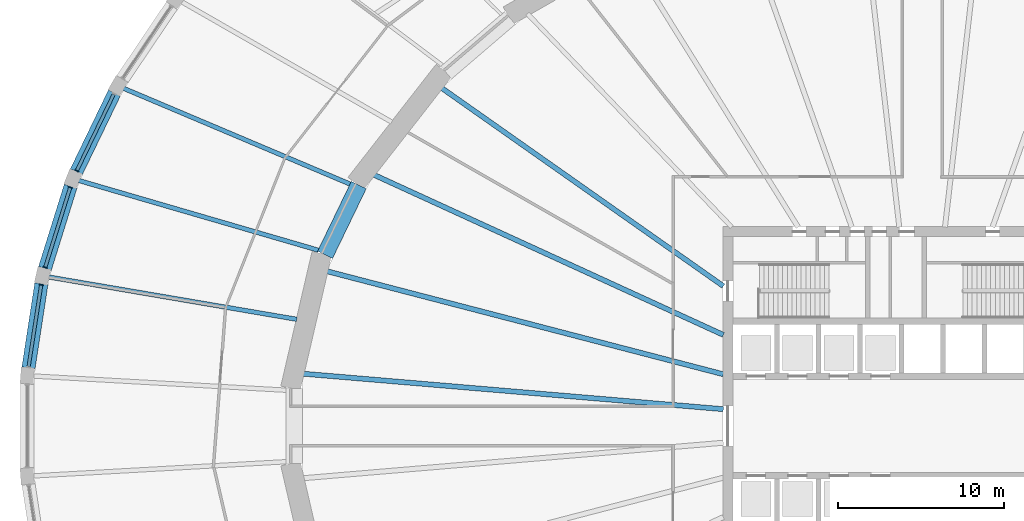
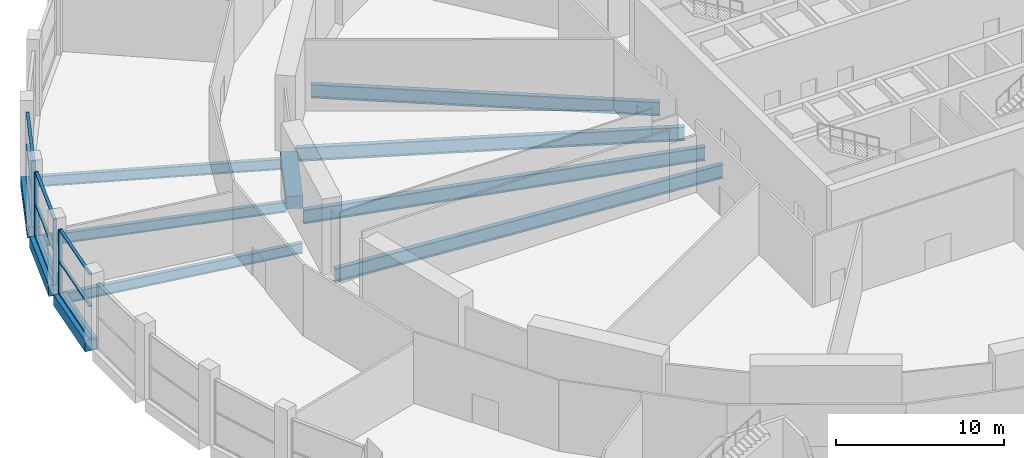
# One storey, part 6 of 29: 13 members, 11 beams, 3 elements without a shape of their own.
"""IFC4 building model written with IfcOpenShell, lengths in metres."""

import ifcopenshell
import ifcopenshell.guid

model = None  # the IFC model being written
_history = None  # IfcOwnerHistory: only IFC2X3 demands one
_inside = {}  # id of a spatial element -> (the spatial element, [elements in it])
_under = {}  # id of a project, library or spatial element -> (it, [spatial elements below it])
_declared = {}  # id of a project -> (the project, [libraries it declares])
_typed = {}  # id of a type object -> (the type object, [elements of that type])
_made_of = {}  # id of a material, layer set ... -> (it, [elements and type objects made of it])


def new_model(schema):
    """Start an empty IFC model of exactly this schema.

    Asked for "IFC4X3", IfcOpenShell would pick the latest addendum, in which some entities
    have other attributes; the version numbers below select the first issue.
    IFC2X3 requires an IfcOwnerHistory on every rooted entity: one is made here for all.
    """
    global model, _history
    if schema == "IFC4X3":
        model = ifcopenshell.file(schema_version=(4, 3, 0, 0))
    else:
        model = ifcopenshell.file(schema=schema)
    _inside.clear()
    _under.clear()
    _declared.clear()
    _typed.clear()
    _made_of.clear()
    _history = None
    if model.schema == "IFC2X3":
        org = make("IfcOrganization", Name="unknown")
        user = make(
            "IfcPersonAndOrganization",
            ThePerson=make("IfcPerson", FamilyName="unknown"),
            TheOrganization=org,
        )
        app = make(
            "IfcApplication",
            ApplicationDeveloper=org,
            Version="unknown",
            ApplicationFullName="unknown",
            ApplicationIdentifier="unknown",
        )
        _history = make(
            "IfcOwnerHistory",
            OwningUser=user,
            OwningApplication=app,
            ChangeAction="ADDED",
            CreationDate=0,
        )
    return model


def make(cls, **values):
    """One entity of the class cls with the attributes given. An attribute that is None is left unset."""
    return model.create_entity(
        cls, **{name: value for name, value in values.items() if value is not None}
    )


def rooted(cls, **values):
    """An entity with a GlobalId (a new one), such as an element, a storey or a relation."""
    return make(cls, GlobalId=ifcopenshell.guid.new(), OwnerHistory=_history, **values)


def si_unit(unit_type, name, prefix=None):
    """IfcSIUnit, for example si_unit("LENGTHUNIT", "METRE", prefix="MILLI")."""
    return make("IfcSIUnit", UnitType=unit_type, Prefix=prefix, Name=name)


def assignment(units):
    """IfcUnitAssignment: the units of a project."""
    return None if units is None else make("IfcUnitAssignment", Units=units)


def point(xyz):
    """IfcCartesianPoint."""
    return None if xyz is None else make("IfcCartesianPoint", Coordinates=xyz)


def direction(xyz):
    """IfcDirection."""
    return None if xyz is None else make("IfcDirection", DirectionRatios=xyz)


def frame(location, z_axis=None, x_axis=None):
    """IfcAxis2Placement3D, a coordinate frame: its origin and axes. An axis left out is left unset."""
    return make(
        "IfcAxis2Placement3D",
        Location=point(location),
        Axis=direction(z_axis),
        RefDirection=direction(x_axis),
    )


def frame_2d(location, x_axis=None):
    """IfcAxis2Placement2D, a coordinate frame in the plane: its origin and x axis."""
    return make(
        "IfcAxis2Placement2D", Location=point(location), RefDirection=direction(x_axis)
    )


def origin():
    """The frame at (0, 0, 0) with its axes left unset."""
    return frame((0.0, 0.0, 0.0))


def origin_2d():
    """The frame at (0, 0) in the plane with its x axis left unset."""
    return frame_2d((0.0, 0.0))


def place(relative_to, where):
    """IfcLocalPlacement: puts the frame where relative to a parent placement (None: the world)."""
    return make(
        "IfcLocalPlacement", PlacementRelTo=relative_to, RelativePlacement=where
    )


def context(
    kind, dimensions, precision=None, world=None, true_north=None, identifier=None
):
    """IfcGeometricRepresentationContext, for example the 3D "Model" context."""
    return make(
        "IfcGeometricRepresentationContext",
        ContextIdentifier=identifier,
        ContextType=kind,
        CoordinateSpaceDimension=dimensions,
        Precision=precision,
        WorldCoordinateSystem=world,
        TrueNorth=true_north,
    )


def subcontext(parent, identifier, kind, view, scale=None):
    """IfcGeometricRepresentationSubContext, for example "Body" below "Model"."""
    return make(
        "IfcGeometricRepresentationSubContext",
        ContextIdentifier=identifier,
        ContextType=kind,
        ParentContext=parent,
        TargetScale=scale,
        TargetView=view,
    )


def project(units=None, contexts=None):
    """IfcProject with its units and contexts."""
    return rooted(
        "IfcProject",
        Name="project",
        RepresentationContexts=contexts,
        UnitsInContext=assignment(units),
    )


def spatial(cls, under=None, at=None, **own):
    """A site, building, storey or space (cls), placed at a placement, below another one or the project."""
    s = rooted(cls, ObjectPlacement=at, **own)
    if under is not None:
        _under.setdefault(under.id(), (under, []))[1].append(s)
    return s


def profile(cls, at=None, kind="AREA", **sizes):
    """A parametric profile (cls). Its sizes go by their IFC names, for example OverallWidth=200.0."""
    return make(cls, ProfileType=kind, Position=at, **sizes)


def rectangle(**sizes):
    """IfcRectangleProfileDef."""
    return profile("IfcRectangleProfileDef", **sizes)


def i_section(**sizes):
    """IfcIShapeProfileDef."""
    return profile("IfcIShapeProfileDef", **sizes)


def extrude(swept, where, along, depth):
    """IfcExtrudedAreaSolid: the profile swept, set in the frame where, extruded along a direction by depth."""
    return make(
        "IfcExtrudedAreaSolid",
        SweptArea=swept,
        Position=where,
        ExtrudedDirection=direction(along),
        Depth=depth,
    )


def shape(context_of_items, identifier, shape_type, items):
    """IfcShapeRepresentation: the items that make up one representation, for example the "Body"."""
    return make(
        "IfcShapeRepresentation",
        ContextOfItems=context_of_items,
        RepresentationIdentifier=identifier,
        RepresentationType=shape_type,
        Items=items,
    )


def material(Name=None, Category=None):
    """IfcMaterial."""
    return make("IfcMaterial", Name=Name, Category=Category)


def material_profile(
    of_material, cross_section, Name=None, Category=None, Priority=None
):
    """IfcMaterialProfile: a cross section and its material."""
    return make(
        "IfcMaterialProfile",
        Name=Name,
        Material=of_material,
        Profile=cross_section,
        Priority=Priority,
        Category=Category,
    )


def profile_set(profiles, Name=None, composite=None):
    """IfcMaterialProfileSet."""
    return make(
        "IfcMaterialProfileSet",
        Name=Name,
        MaterialProfiles=profiles,
        CompositeProfile=composite,
    )


def made_of(thing, what):
    """Note that an element or type object is made of a material, layer set ...; save() writes the relation."""
    if what is not None:
        _made_of.setdefault(what.id(), (what, []))[1].append(thing)
    return thing


def type_object(cls, material=None, **own):
    """A type object (cls), such as IfcWallType, which elements share."""
    return made_of(rooted(cls, **own), material)


def element(
    cls,
    number,
    at=None,
    inside=None,
    cuts=None,
    type_object=None,
    material=None,
    context=None,
    identifier="Body",
    shape_type=None,
    held_by="IfcProductDefinitionShape",
    body=None,
    shapes=None,
    **own,
):
    """One element of the class cls, such as IfcWall. Its Tag is "e" and its number.

    at: its placement. inside: the storey or other place that contains it. cuts: it is an
    opening in that element (IfcRelVoidsElement). A single representation is given by context,
    identifier, shape_type and body (its items); several are given by shapes. held_by: the class
    of the entity that holds the representations. save() writes the other relations.
    """
    e = rooted(cls, Tag="e%d" % number, ObjectPlacement=at, **own)
    if body is not None:
        shapes = [shape(context, identifier, shape_type, body)]
    if shapes is not None:
        e.Representation = make(held_by, Representations=shapes)
    if inside is not None:
        _inside.setdefault(inside.id(), (inside, []))[1].append(e)
    if cuts is not None:
        rooted(
            "IfcRelVoidsElement", RelatingBuildingElement=cuts, RelatedOpeningElement=e
        )
    if type_object is not None:
        _typed.setdefault(type_object.id(), (type_object, []))[1].append(e)
    return made_of(e, material)


def aggregate(whole, parts):
    """IfcRelAggregates: a whole, such as a stair, and the parts it consists of."""
    return rooted("IfcRelAggregates", RelatingObject=whole, RelatedObjects=parts)


def save(model, path):
    """Write the relations noted so far, then the file.

    IfcRelAggregates (storeys below a building ...), IfcRelContainedInSpatialStructure (elements
    in a storey), IfcRelDefinesByType, IfcRelAssociatesMaterial and IfcRelDeclares: one each for
    every whole, place, type object, material and project.
    """
    for whole, parts in _under.values():
        aggregate(whole, parts)
    for where, things in _inside.values():
        rooted(
            "IfcRelContainedInSpatialStructure",
            RelatedElements=things,
            RelatingStructure=where,
        )
    for kind, things in _typed.values():
        rooted("IfcRelDefinesByType", RelatedObjects=things, RelatingType=kind)
    for what, things in _made_of.values():
        rooted("IfcRelAssociatesMaterial", RelatedObjects=things, RelatingMaterial=what)
    for by, libraries in _declared.values():
        rooted("IfcRelDeclares", RelatingContext=by, RelatedDefinitions=libraries)
    model.write(path)


model = new_model("IFC4")

# Units and contexts
model_context = context("Model", 3, precision=1e-05, world=origin(), true_north=direction((0.0, 1.0)))
body_context = subcontext(model_context, "Body", "Model", "MODEL_VIEW")
ifc_project = project(units=[si_unit("LENGTHUNIT", "METRE"), si_unit("AREAUNIT", "SQUARE_METRE"), si_unit("VOLUMEUNIT", "CUBIC_METRE"), si_unit("PLANEANGLEUNIT", "RADIAN"), si_unit("MASSUNIT", "GRAM", prefix="KILO")], contexts=[model_context])

# Site, building, storey
site_placement = place(None, origin())
site = spatial("IfcSite", under=ifc_project, at=site_placement, CompositionType="ELEMENT")
building_placement = place(site_placement, origin())
building = spatial("IfcBuilding", under=site, at=building_placement, Name="Halqa Exchange Tower", CompositionType="ELEMENT")
storey_placement = place(building_placement, frame((0.0, 0.0, 12.5)))
storey = spatial("IfcBuildingStorey", under=building, at=storey_placement, Name="L02", CompositionType="ELEMENT", Elevation=12.5)

# Curtain wall, member
ifc_material_1 = material(Name="Anodised aluminium and clear glass", Category="aluminium")
curtain_wall_type = type_object("IfcCurtainWallType", Name="Exchange hall glazing", PredefinedType="NOTDEFINED", material=ifc_material_1)
curtain_wall_1_placement = place(storey_placement, origin())
curtain_wall_1 = element("IfcCurtainWall", 1, at=curtain_wall_1_placement, inside=storey, type_object=curtain_wall_type, Name="Exchange hall glazing run P21", PredefinedType="NOTDEFINED")
ifc_material_2 = material(Name="Anodised aluminium", Category="aluminium")
ifc_material_profile_1 = material_profile(ifc_material_2, rectangle(XDim=0.25, YDim=0.070068359375, at=origin_2d()), Name="AL 70x250")
ifc_profile_set_1 = profile_set([ifc_material_profile_1], Name="Anodised aluminium")
member_type_1 = type_object("IfcMemberType", Name="Exchange hall glazing mullion 70 x 250", PredefinedType="MULLION", material=ifc_profile_set_1)
member_1_placement = place(storey_placement, frame((-50.9013671875, 15.3642578125, 0.0), z_axis=(0.0, 0.0, 1.0), x_axis=(0.90043534892, -0.434989864727, 0.0)))
member_1 = element("IfcMember", 2, at=member_1_placement, type_object=member_type_1, Name="P21 mullion 2", PredefinedType="MULLION", context=body_context, shape_type="SweptSolid", body=[
    extrude(rectangle(XDim=0.25, YDim=0.070068359375, at=origin_2d()), origin(), (0.0, 0.0, 1.0), 4.699951171875),
])

# Curtain wall, members
curtain_wall_2_placement = place(storey_placement, origin())
curtain_wall_2 = element("IfcCurtainWall", 3, at=curtain_wall_2_placement, inside=storey, type_object=curtain_wall_type, Name="Exchange hall glazing run P22", PredefinedType="NOTDEFINED")
member_2_placement = place(storey_placement, frame((-51.293701171875, 14.3720703125, 0.0), z_axis=(0.0, 0.0, 1.0), x_axis=(0.95447130463, -0.298302746613, 0.0)))
member_2 = element("IfcMember", 4, at=member_2_placement, type_object=member_type_1, Name="P22 mullion 1", PredefinedType="MULLION", context=body_context, shape_type="SweptSolid", body=[
    extrude(rectangle(XDim=0.25, YDim=0.070068359375, at=origin_2d()), origin(), (0.0, 0.0, 1.0), 4.699951171875),
])
member_3_placement = place(storey_placement, frame((-52.802978515625, 9.543212890625, 0.0), z_axis=(0.0, 0.0, 1.0), x_axis=(0.95447130463, -0.298302746613, 0.0)))
member_3 = element("IfcMember", 5, at=member_3_placement, type_object=member_type_1, Name="P22 mullion 2", PredefinedType="MULLION", context=body_context, shape_type="SweptSolid", body=[
    extrude(rectangle(XDim=0.25, YDim=0.070068359375, at=origin_2d()), origin(), (0.0, 0.0, 1.0), 4.699951171875),
])

# Curtain wall, member
curtain_wall_3_placement = place(storey_placement, origin())
curtain_wall_3 = element("IfcCurtainWall", 6, at=curtain_wall_3_placement, inside=storey, type_object=curtain_wall_type, Name="Exchange hall glazing run P23", PredefinedType="NOTDEFINED")
member_4_placement = place(storey_placement, frame((-53.043701171875, 8.50390625, 0.0), z_axis=(0.0, 0.0, 1.0), x_axis=(0.988416304241, -0.151766957898, 0.0)))
member_4 = element("IfcMember", 7, at=member_4_placement, type_object=member_type_1, Name="P23 mullion 1", PredefinedType="MULLION", context=body_context, shape_type="SweptSolid", body=[
    extrude(rectangle(XDim=0.25, YDim=0.070068359375, at=origin_2d()), origin(), (0.0, 0.0, 1.0), 4.699951171875),
])

# Member
ifc_material_profile_2 = material_profile(ifc_material_2, rectangle(XDim=0.199951171875, YDim=0.070068359375, at=origin_2d()), Name="AL 70x200")
ifc_profile_set_2 = profile_set([ifc_material_profile_2], Name="Anodised aluminium")
member_type_2 = type_object("IfcMemberType", Name="Exchange hall glazing transom 70 x 200", PredefinedType="USERDEFINED", material=ifc_profile_set_2)
member_5_placement = place(storey_placement, frame((-48.678955078125, 19.96484375, 0.034912109375), z_axis=(-0.434989893806, -0.900435334872, 0.0), x_axis=(0.900435334872, -0.434989893806, 0.0)))
member_5 = element("IfcMember", 8, at=member_5_placement, type_object=member_type_2, Name="P21 transom 1.1", ObjectType="TRANSOM", PredefinedType="USERDEFINED", context=body_context, shape_type="SweptSolid", body=[
    extrude(rectangle(XDim=0.199951171875, YDim=0.070068359375, at=origin_2d()), origin(), (0.0, 0.0, 1.0), 5.07421875),
])

member_6_placement = place(storey_placement, frame((-48.678955078125, 19.96484375, 2.35009765625), z_axis=(-0.434989893806, -0.900435334872, 0.0), x_axis=(0.900435334872, -0.434989893806, 0.0)))
member_6 = element("IfcMember", 9, at=member_6_placement, type_object=member_type_2, Name="P21 transom 1.2", ObjectType="TRANSOM", PredefinedType="USERDEFINED", context=body_context, shape_type="SweptSolid", body=[
    extrude(rectangle(XDim=0.199951171875, YDim=0.070068359375, at=origin_2d()), origin(), (0.0, 0.0, 1.0), 5.07421875),
])

member_7_placement = place(storey_placement, frame((-48.678955078125, 19.96484375, 4.6650390625), z_axis=(-0.434989893806, -0.900435334872, 0.0), x_axis=(0.900435334872, -0.434989893806, 0.0)))
member_7 = element("IfcMember", 10, at=member_7_placement, type_object=member_type_2, Name="P21 transom 1.3", ObjectType="TRANSOM", PredefinedType="USERDEFINED", context=body_context, shape_type="SweptSolid", body=[
    extrude(rectangle(XDim=0.199951171875, YDim=0.070068359375, at=origin_2d()), origin(), (0.0, 0.0, 1.0), 5.07421875),
])

aggregate(curtain_wall_1, [member_1, member_5, member_6, member_7])

member_8_placement = place(storey_placement, frame((-51.30419921875, 14.338623046875, 0.034912109375), z_axis=(-0.298305642444, -0.954470399586, 0.0), x_axis=(0.954470399586, -0.298305642444, 0.0)))
member_8 = element("IfcMember", 11, at=member_8_placement, type_object=member_type_2, Name="P22 transom 1.1", ObjectType="TRANSOM", PredefinedType="USERDEFINED", context=body_context, shape_type="SweptSolid", body=[
    extrude(rectangle(XDim=0.199951171875, YDim=0.070068359375, at=origin_2d()), origin(), (0.0, 0.0, 1.0), 4.989013671875),
])

member_9_placement = place(storey_placement, frame((-51.30419921875, 14.338623046875, 2.35009765625), z_axis=(-0.298305642444, -0.954470399586, 0.0), x_axis=(0.954470399586, -0.298305642444, 0.0)))
member_9 = element("IfcMember", 12, at=member_9_placement, type_object=member_type_2, Name="P22 transom 1.2", ObjectType="TRANSOM", PredefinedType="USERDEFINED", context=body_context, shape_type="SweptSolid", body=[
    extrude(rectangle(XDim=0.199951171875, YDim=0.070068359375, at=origin_2d()), origin(), (0.0, 0.0, 1.0), 4.989013671875),
])

member_10_placement = place(storey_placement, frame((-51.30419921875, 14.338623046875, 4.6650390625), z_axis=(-0.298305642444, -0.954470399586, 0.0), x_axis=(0.954470399586, -0.298305642444, 0.0)))
member_10 = element("IfcMember", 13, at=member_10_placement, type_object=member_type_2, Name="P22 transom 1.3", ObjectType="TRANSOM", PredefinedType="USERDEFINED", context=body_context, shape_type="SweptSolid", body=[
    extrude(rectangle(XDim=0.199951171875, YDim=0.070068359375, at=origin_2d()), origin(), (0.0, 0.0, 1.0), 4.989013671875),
])

aggregate(curtain_wall_2, [member_2, member_3, member_8, member_9, member_10])

member_11_placement = place(storey_placement, frame((-53.048828125, 8.46923828125, 0.034912109375), z_axis=(-0.151782076139, -0.988413982784, 0.0), x_axis=(0.988413982784, -0.151782076139, 0.0)))
member_11 = element("IfcMember", 14, at=member_11_placement, type_object=member_type_2, Name="P23 transom 1.1", ObjectType="TRANSOM", PredefinedType="USERDEFINED", context=body_context, shape_type="SweptSolid", body=[
    extrude(rectangle(XDim=0.199951171875, YDim=0.070068359375, at=origin_2d()), origin(), (0.0, 0.0, 1.0), 4.934814453125),
])

member_12_placement = place(storey_placement, frame((-53.048828125, 8.46923828125, 2.35009765625), z_axis=(-0.151782076139, -0.988413982784, 0.0), x_axis=(0.988413982784, -0.151782076139, 0.0)))
member_12 = element("IfcMember", 15, at=member_12_placement, type_object=member_type_2, Name="P23 transom 1.2", ObjectType="TRANSOM", PredefinedType="USERDEFINED", context=body_context, shape_type="SweptSolid", body=[
    extrude(rectangle(XDim=0.199951171875, YDim=0.070068359375, at=origin_2d()), origin(), (0.0, 0.0, 1.0), 4.934814453125),
])

member_13_placement = place(storey_placement, frame((-53.048828125, 8.46923828125, 4.6650390625), z_axis=(-0.151782076139, -0.988413982784, 0.0), x_axis=(0.988413982784, -0.151782076139, 0.0)))
member_13 = element("IfcMember", 16, at=member_13_placement, type_object=member_type_2, Name="P23 transom 1.3", ObjectType="TRANSOM", PredefinedType="USERDEFINED", context=body_context, shape_type="SweptSolid", body=[
    extrude(rectangle(XDim=0.199951171875, YDim=0.070068359375, at=origin_2d()), origin(), (0.0, 0.0, 1.0), 4.934814453125),
])

aggregate(curtain_wall_3, [member_4, member_11, member_12, member_13])

# Beams
ifc_material_3 = material(Name="Steel S355", Category="steel")
ifc_material_profile_3 = material_profile(ifc_material_3, i_section(OverallWidth=0.300048828125, OverallDepth=1.0, WebThickness=0.01904296875, FlangeThickness=0.035888671875, FilletRadius=0.030029296875, at=origin_2d()), Name="HEB 1000")
ifc_profile_set_3 = profile_set([ifc_material_profile_3], Name="Steel S355")
beam_type_1 = type_object("IfcBeamType", Name="Floor beam HEB 1000", PredefinedType="BEAM", material=ifc_profile_set_3)
beam_1_placement = place(storey_placement, frame((-11.972412109375, 8.421875, -0.85009765625), z_axis=(-0.817909911418, 0.575346310325, 0.0), x_axis=(-0.575346310325, -0.817909911418, 0.0)))
element("IfcBeam", 17, at=beam_1_placement, inside=storey, type_object=beam_type_1, Name="Radial beam 13", PredefinedType="BEAM", context=body_context, shape_type="SweptSolid", body=[
    extrude(i_section(OverallWidth=0.300048828125, OverallDepth=1.0, WebThickness=0.01904296875, FlangeThickness=0.035888671875, FilletRadius=0.030029296875, at=origin_2d()), origin(), (0.0, 0.0, 1.0), 20.804443359375),
])
beam_2_placement = place(storey_placement, frame((-11.972412109375, 5.485107421875, -0.85009765625), z_axis=(-0.909128229117, 0.416516341843, 0.0), x_axis=(-0.416516341843, -0.909128229117, 0.0)))
element("IfcBeam", 18, at=beam_2_placement, inside=storey, type_object=beam_type_1, Name="Radial beam 14", PredefinedType="BEAM", context=body_context, shape_type="SweptSolid", body=[
    extrude(i_section(OverallWidth=0.300048828125, OverallDepth=1.0, WebThickness=0.01904296875, FlangeThickness=0.035888671875, FilletRadius=0.030029296875, at=origin_2d()), origin(), (0.0, 0.0, 1.0), 23.209228515625),
])
ifc_material_profile_4 = material_profile(ifc_material_3, i_section(OverallWidth=0.302001953125, OverallDepth=1.008056640625, WebThickness=0.02099609375, FlangeThickness=0.0400390625, FilletRadius=0.030029296875, at=origin_2d()), Name="HEM 1000")
ifc_profile_set_4 = profile_set([ifc_material_profile_4], Name="Steel S355")
beam_type_2 = type_object("IfcBeamType", Name="Floor beam HEM 1000", PredefinedType="BEAM", material=ifc_profile_set_4)
beam_3_placement = place(storey_placement, frame((-11.971435546875, 3.11279296875, -0.85400390625), z_axis=(-0.967821064299, 0.251639399735, 0.0), x_axis=(-0.251639399735, -0.967821064299, 0.0)))
element("IfcBeam", 19, at=beam_3_placement, inside=storey, type_object=beam_type_2, Name="Radial beam 15", PredefinedType="BEAM", context=body_context, shape_type="SweptSolid", body=[
    extrude(i_section(OverallWidth=0.302001953125, OverallDepth=1.008056640625, WebThickness=0.02099609375, FlangeThickness=0.0400390625, FilletRadius=0.030029296875, at=origin_2d()), origin(), (0.0, 0.0, 1.0), 24.7314453125),
])
beam_4_placement = place(storey_placement, frame((-11.972412109375, 1.0107421875, -0.85400390625), z_axis=(-0.996455167327, 0.084125498561, 0.0), x_axis=(-0.084125498561, -0.996455167327, 0.0)))
element("IfcBeam", 20, at=beam_4_placement, inside=storey, type_object=beam_type_2, Name="Radial beam 16", PredefinedType="BEAM", context=body_context, shape_type="SweptSolid", body=[
    extrude(i_section(OverallWidth=0.302001953125, OverallDepth=1.008056640625, WebThickness=0.02099609375, FlangeThickness=0.0400390625, FilletRadius=0.030029296875, at=origin_2d()), origin(), (0.0, 0.0, 1.0), 25.460205078125),
])
ifc_material_profile_5 = material_profile(ifc_material_3, i_section(OverallWidth=0.264892578125, OverallDepth=0.7529296875, WebThickness=0.01318359375, FlangeThickness=0.01708984375, FilletRadius=0.01708984375, at=origin_2d()), Name="IPE 750x147")
ifc_profile_set_5 = profile_set([ifc_material_profile_5], Name="Steel S355")
beam_type_3 = type_object("IfcBeamType", Name="Floor beam IPE 750x147", PredefinedType="BEAM", material=ifc_profile_set_5)
beam_5_placement = place(storey_placement, frame((-34.423583984375, 14.555419921875, -0.7265625), z_axis=(-0.921054684963, 0.389433264254, 0.0), x_axis=(-0.389433264254, -0.921054684963, 0.0)))
element("IfcBeam", 21, at=beam_5_placement, inside=storey, type_object=beam_type_3, Name="Radial beam 21", PredefinedType="BEAM", context=body_context, shape_type="SweptSolid", body=[
    extrude(i_section(OverallWidth=0.264892578125, OverallDepth=0.7529296875, WebThickness=0.01318359375, FlangeThickness=0.01708984375, FilletRadius=0.01708984375, at=origin_2d()), origin(), (0.0, 0.0, 1.0), 14.83349609375),
])
beam_6_placement = place(storey_placement, frame((-36.34521484375, 10.578369140625, -0.7265625), z_axis=(-0.960162493503, 0.279442276812, 0.0), x_axis=(-0.279442276812, -0.960162493503, 0.0)))
element("IfcBeam", 22, at=beam_6_placement, inside=storey, type_object=beam_type_3, Name="Radial beam 22", PredefinedType="BEAM", context=body_context, shape_type="SweptSolid", body=[
    extrude(i_section(OverallWidth=0.264892578125, OverallDepth=0.7529296875, WebThickness=0.01318359375, FlangeThickness=0.01708984375, FilletRadius=0.01708984375, at=origin_2d()), origin(), (0.0, 0.0, 1.0), 15.02880859375),
])
beam_7_placement = place(storey_placement, frame((-37.654296875, 6.421875, -0.7265625), z_axis=(-0.985764762639, 0.168130403968, 0.0), x_axis=(-0.168130403968, -0.985764762639, 0.0)))
element("IfcBeam", 23, at=beam_7_placement, inside=storey, type_object=beam_type_3, Name="Radial beam 23", PredefinedType="BEAM", context=body_context, shape_type="SweptSolid", body=[
    extrude(i_section(OverallWidth=0.264892578125, OverallDepth=0.7529296875, WebThickness=0.01318359375, FlangeThickness=0.01708984375, FilletRadius=0.01708984375, at=origin_2d()), origin(), (0.0, 0.0, 1.0), 15.156982421875),
])
ifc_material_4 = material(Name="Concrete C60/75", Category="concrete")
ifc_material_profile_6 = material_profile(ifc_material_4, rectangle(XDim=0.800048828125, YDim=0.800048828125, at=origin_2d()), Name="800 x 800")
ifc_profile_set_6 = profile_set([ifc_material_profile_6], Name="Concrete C60/75")
beam_type_4 = type_object("IfcBeamType", Name="RC podium edge beam 800 x 800 C60/75", PredefinedType="SPANDREL", material=ifc_profile_set_6)
beam_8_placement = place(storey_placement, frame((-48.636962890625, 20.052001953125, -0.39990234375), z_axis=(-0.43497328232, -0.9004433595, 0.0), x_axis=(0.9004433595, -0.43497328232, 0.0)))
element("IfcBeam", 24, at=beam_8_placement, inside=storey, type_object=beam_type_4, Name="Podium edge beam 21", PredefinedType="SPANDREL", context=body_context, shape_type="SweptSolid", body=[
    extrude(rectangle(XDim=0.800048828125, YDim=0.800048828125, at=origin_2d()), origin(), (0.0, 0.0, 1.0), 5.267578125),
])
beam_9_placement = place(storey_placement, frame((-51.275390625, 14.430419921875, -0.39990234375), z_axis=(-0.298331338153, -0.954462368392, 0.0), x_axis=(0.954462368392, -0.298331338153, 0.0)))
element("IfcBeam", 25, at=beam_9_placement, inside=storey, type_object=beam_type_4, Name="Podium edge beam 22", PredefinedType="SPANDREL", context=body_context, shape_type="SweptSolid", body=[
    extrude(rectangle(XDim=0.800048828125, YDim=0.800048828125, at=origin_2d()), origin(), (0.0, 0.0, 1.0), 5.180908203125),
])
beam_10_placement = place(storey_placement, frame((-53.0341796875, 8.56591796875, -0.39990234375), z_axis=(-0.151767505705, -0.988416220128, 0.0), x_axis=(0.988416220128, -0.151767505705, 0.0)))
element("IfcBeam", 26, at=beam_10_placement, inside=storey, type_object=beam_type_4, Name="Podium edge beam 23", PredefinedType="SPANDREL", context=body_context, shape_type="SweptSolid", body=[
    extrude(rectangle(XDim=0.800048828125, YDim=0.800048828125, at=origin_2d()), origin(), (0.0, 0.0, 1.0), 5.1298828125),
])
ifc_material_profile_7 = material_profile(ifc_material_4, rectangle(XDim=1.0, YDim=0.89990234375, at=origin_2d()), Name="1000 x 900")
ifc_profile_set_7 = profile_set([ifc_material_profile_7], Name="Concrete C60/75")
beam_type_5 = type_object("IfcBeamType", Name="RC spandrel beam 1000 x 900 C60/75", PredefinedType="SPANDREL", material=ifc_profile_set_7)
beam_11_placement = place(storey_placement, frame((-33.923095703125, 14.505615234375, -0.449951171875), z_axis=(-0.435068215878, -0.900397494184, 0.0), x_axis=(0.900397494184, -0.435068215878, 0.0)))
element("IfcBeam", 27, at=beam_11_placement, inside=storey, type_object=beam_type_5, Name="Spandrel 14", PredefinedType="SPANDREL", context=body_context, shape_type="SweptSolid", body=[
    extrude(rectangle(XDim=1.0, YDim=0.89990234375, at=origin_2d()), origin(), (0.0, 0.0, 1.0), 4.6630859375),
])

save(model, "model.ifc")
